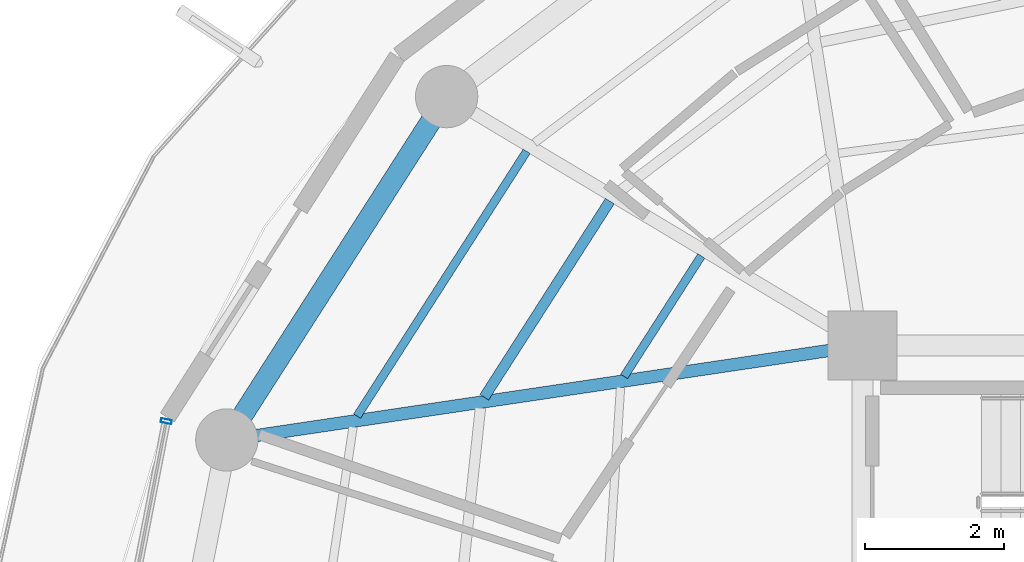
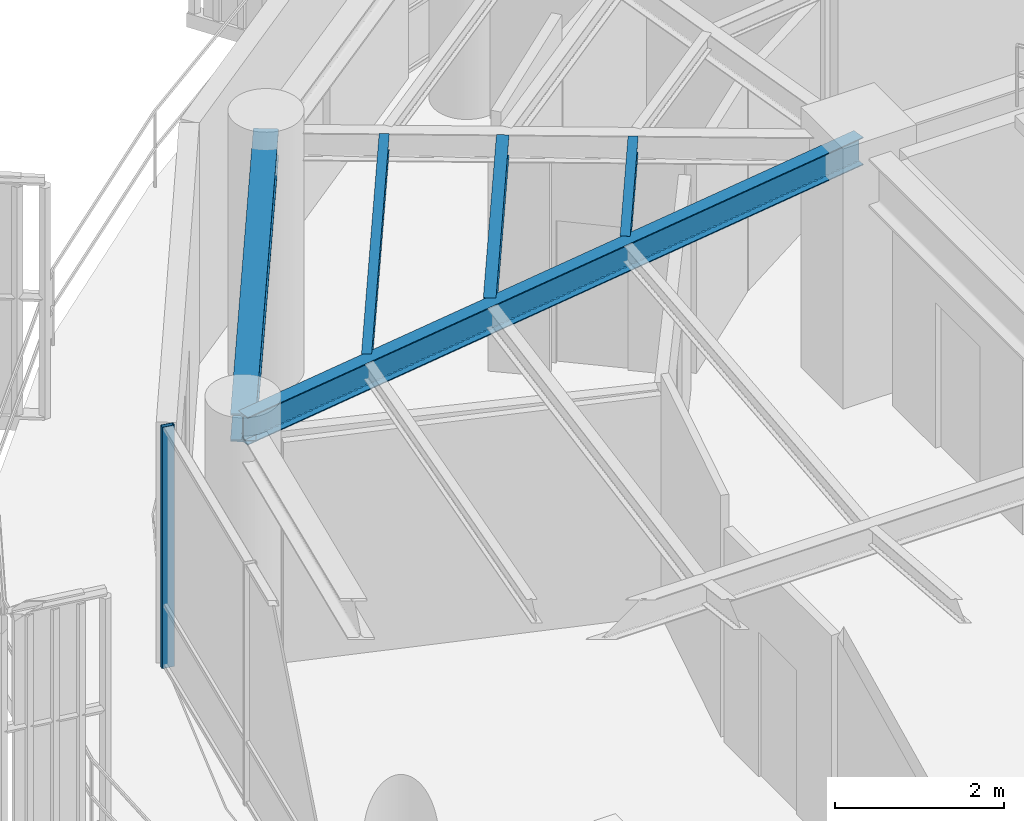
# One storey, part 7 of 22: 5 beams, 1 member, 1 element without a shape of its own.
"""IFC4 building model written with IfcOpenShell, lengths in metres."""

from ifc_helpers import new_model, si_unit, direction, frame, origin, origin_2d, place, context, subcontext, project, spatial, hollow_rectangle, i_section, extrude, material, layer, layer_set, material_profile, profile_set, type_object, element, aggregate, save


model = new_model("IFC4")

# Units and contexts
model_context = context("Model", 3, precision=1e-05, world=origin(), true_north=direction((0.0, 1.0)))
body_context = subcontext(model_context, "Body", "Model", "MODEL_VIEW")
ifc_project = project(units=[si_unit("LENGTHUNIT", "METRE"), si_unit("AREAUNIT", "SQUARE_METRE"), si_unit("VOLUMEUNIT", "CUBIC_METRE"), si_unit("PLANEANGLEUNIT", "RADIAN"), si_unit("MASSUNIT", "GRAM", prefix="KILO")], contexts=[model_context])

# Site, building, storey
site_placement = place(None, origin())
site = spatial("IfcSite", under=ifc_project, at=site_placement, CompositionType="ELEMENT")
building_placement = place(site_placement, origin())
building = spatial("IfcBuilding", under=site, at=building_placement, Name="Kelanora Arch Commons", CompositionType="ELEMENT")
storey_placement = place(building_placement, frame((0.0, 0.0, 271.199951171875)))
storey = spatial("IfcBuildingStorey", under=building, at=storey_placement, Name="L69", CompositionType="ELEMENT", Elevation=271.199951171875)

# Beams
ifc_material_1 = material(Name="Steel S355", Category="steel")
ifc_material_profile_1 = material_profile(ifc_material_1, i_section(OverallWidth=0.14990234375, OverallDepth=0.300048828125, WebThickness=0.007080078125, FlangeThickness=0.0107421875, FilletRadius=0.014892578125, at=origin_2d()), Name="IPE300")
ifc_profile_set_1 = profile_set([ifc_material_profile_1], Name="Steel S355")
beam_type_1 = type_object("IfcBeamType", Name="BM-JST-01", PredefinedType="JOIST", material=ifc_profile_set_1)
beam_1_placement = place(storey_placement, frame((62.352294921875, 67.084228515625, 3.340087890625), z_axis=(-0.539321586177, -0.842099891155, 0.0), x_axis=(0.842099891155, -0.539321586177, 0.0)))
element("IfcBeam", 1, at=beam_1_placement, inside=storey, type_object=beam_type_1, Name="Secondary Chord Joist BJB-14 L69", PredefinedType="JOIST", context=body_context, shape_type="SweptSolid", body=[
    extrude(i_section(OverallWidth=0.14990234375, OverallDepth=0.300048828125, WebThickness=0.007080078125, FlangeThickness=0.0107421875, FilletRadius=0.014892578125, at=origin_2d()), origin(), (0.0, 0.0, 1.0), 3.361572265625),
])
ifc_material_profile_2 = material_profile(ifc_material_1, i_section(OverallWidth=0.1201171875, OverallDepth=0.239990234375, WebThickness=0.006103515625, FlangeThickness=0.009765625, FilletRadius=0.014892578125, at=origin_2d()), Name="IPE240")
ifc_profile_set_2 = profile_set([ifc_material_profile_2], Name="Steel S355")
beam_type_2 = type_object("IfcBeamType", Name="BM-JST-02", PredefinedType="JOIST", material=ifc_profile_set_2)
beam_2_placement = place(storey_placement, frame((63.6728515625, 66.293701171875, 3.3701171875), z_axis=(-0.539311810315, -0.842106152011, 0.0), x_axis=(0.842106152011, -0.539311810315, 0.0)))
element("IfcBeam", 2, at=beam_2_placement, inside=storey, type_object=beam_type_2, Name="Secondary Chord Joist BJA-14 L69", PredefinedType="JOIST", context=body_context, shape_type="SweptSolid", body=[
    extrude(i_section(OverallWidth=0.1201171875, OverallDepth=0.239990234375, WebThickness=0.006103515625, FlangeThickness=0.009765625, FilletRadius=0.014892578125, at=origin_2d()), origin(), (0.0, 0.0, 1.0), 2.06640625),
])
beam_3_placement = place(storey_placement, frame((61.151611328125, 67.802978515625, 3.3701171875), z_axis=(-0.539288735289, -0.842120929552, 0.0), x_axis=(0.842120929552, -0.539288735289, 0.0)))
element("IfcBeam", 3, at=beam_3_placement, inside=storey, type_object=beam_type_2, Name="Secondary Chord Joist BJC-14 L69", PredefinedType="JOIST", context=body_context, shape_type="SweptSolid", body=[
    extrude(i_section(OverallWidth=0.1201171875, OverallDepth=0.239990234375, WebThickness=0.006103515625, FlangeThickness=0.009765625, FilletRadius=0.014892578125, at=origin_2d()), origin(), (0.0, 0.0, 1.0), 4.538818359375),
])
ifc_material_profile_3 = material_profile(ifc_material_1, i_section(OverallWidth=0.179931640625, OverallDepth=0.39990234375, WebThickness=0.008544921875, FlangeThickness=0.013427734375, FilletRadius=0.02099609375, at=origin_2d()), Name="IPE400")
ifc_profile_set_3 = profile_set([ifc_material_profile_3], Name="Steel S355")
beam_type_3 = type_object("IfcBeamType", Name="BM-RAD-Z5", PredefinedType="BEAM", material=ifc_profile_set_3)
beam_4_placement = place(storey_placement, frame((66.0, 65.0, 3.2900390625), z_axis=(-0.989142485564, -0.146959665395, 0.0), x_axis=(0.146959665395, -0.989142485564, 0.0)))
element("IfcBeam", 4, at=beam_4_placement, inside=storey, type_object=beam_type_3, Name="Radial Floor Girder BR-16 L69", PredefinedType="BEAM", context=body_context, shape_type="SweptSolid", body=[
    extrude(i_section(OverallWidth=0.179931640625, OverallDepth=0.39990234375, WebThickness=0.008544921875, FlangeThickness=0.013427734375, FilletRadius=0.02099609375, at=origin_2d()), origin(), (0.0, 0.0, 1.0), 9.2783203125),
])
ifc_material_profile_4 = material_profile(ifc_material_1, i_section(OverallWidth=0.300048828125, OverallDepth=0.39990234375, WebThickness=0.013427734375, FlangeThickness=0.02392578125, FilletRadius=0.027099609375, at=origin_2d()), Name="HEB400")
ifc_profile_set_4 = profile_set([ifc_material_profile_4], Name="Steel S355")
beam_type_4 = type_object("IfcBeamType", Name="BM-SPN-Z4", PredefinedType="SPANDREL", material=ifc_profile_set_4)
beam_5_placement = place(storey_placement, frame((59.99658203125, 68.593017578125, 3.2900390625), z_axis=(-0.539280851353, -0.842125978322, 0.0), x_axis=(0.842125978322, -0.539280851353, 0.0)))
element("IfcBeam", 5, at=beam_5_placement, inside=storey, type_object=beam_type_4, Name="Perimeter Spandrel Beam BS-14 L69", PredefinedType="SPANDREL", context=body_context, shape_type="SweptSolid", body=[
    extrude(i_section(OverallWidth=0.300048828125, OverallDepth=0.39990234375, WebThickness=0.013427734375, FlangeThickness=0.02392578125, FilletRadius=0.027099609375, at=origin_2d()), origin(), (0.0, 0.0, 1.0), 5.8857421875),
])

# Curtain wall, member
ifc_material_2 = material(Name="Terracotta ceramic-fritted low-E glass and aluminium", Category="masonry")
ifc_layer = layer(ifc_material_2, 0.18994140625)
ifc_layer_set = layer_set([ifc_layer], Name="Terracotta ceramic-fritted low-E glass and aluminium")
curtain_wall_type = type_object("IfcCurtainWallType", Name="CW-SYS-03", PredefinedType="NOTDEFINED", material=ifc_layer_set)
curtain_wall_placement = place(storey_placement, origin())
curtain_wall = element("IfcCurtainWall", 6, at=curtain_wall_placement, inside=storey, type_object=curtain_wall_type, Name="Unitised Curtain Wall L69-B08", PredefinedType="NOTDEFINED")
ifc_material_3 = material(Name="Powder-coated aluminium terracotta", Category="masonry")
ifc_material_profile_5 = material_profile(ifc_material_3, hollow_rectangle(XDim=0.159912109375, YDim=0.06005859375, WallThickness=0.0048828125, InnerFilletRadius=0.0048828125, OuterFilletRadius=0.010009765625, at=origin_2d()), Name="CWM160x60")
ifc_profile_set_5 = profile_set([ifc_material_profile_5], Name="Powder-coated aluminium terracotta")
member_type = type_object("IfcMemberType", Name="CWM-STD", PredefinedType="MULLION", material=ifc_profile_set_5)
member_placement = place(storey_placement, frame((55.94921875, 63.906982421875, 0.0), z_axis=(0.0, 0.0, 1.0), x_axis=(0.981595542501, -0.190971701941, 0.0)))
member = element("IfcMember", 7, at=member_placement, type_object=member_type, Name="CW-03 mullion 1", PredefinedType="MULLION", context=body_context, shape_type="SweptSolid", body=[
    extrude(hollow_rectangle(XDim=0.159912109375, YDim=0.06005859375, WallThickness=0.0048828125, InnerFilletRadius=0.0048828125, OuterFilletRadius=0.010009765625, at=origin_2d()), origin(), (0.0, 0.0, 1.0), 3.47509765625),
])
aggregate(curtain_wall, [member])

save(model, "model.ifc")
